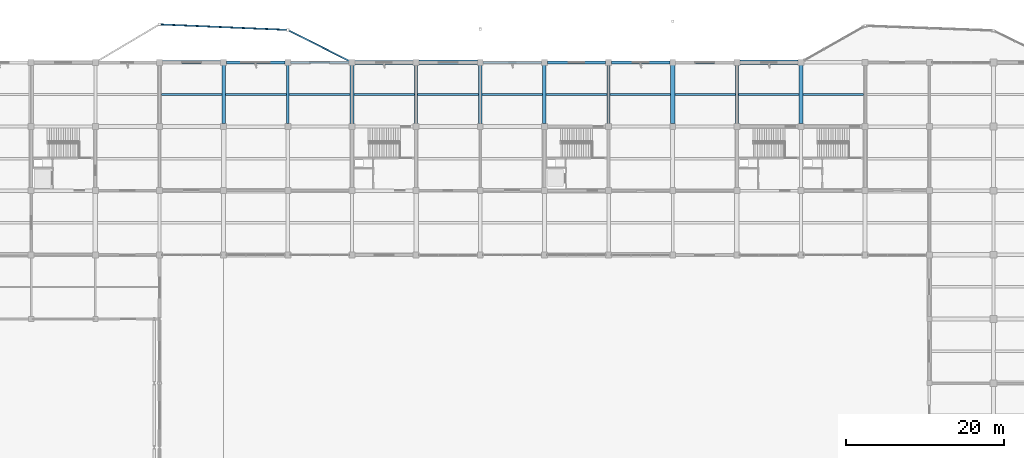
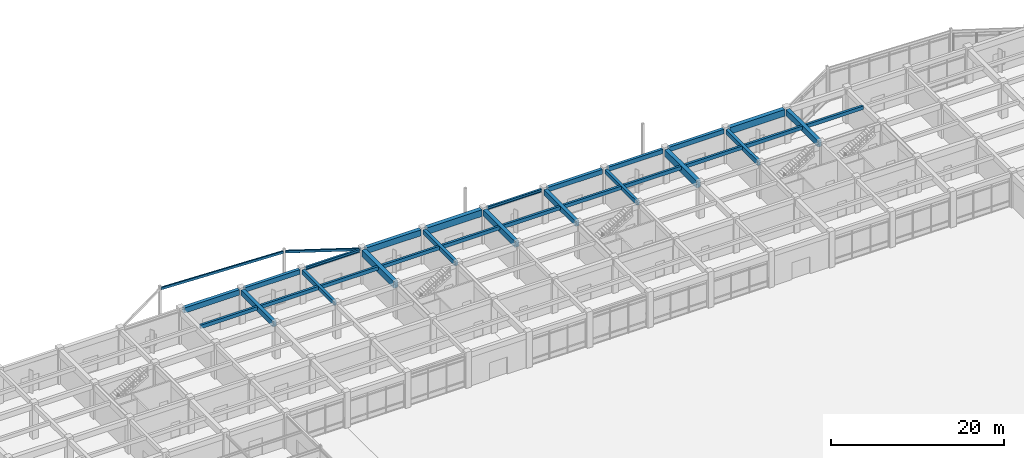
# One storey, part 46 of 99: 33 beams.
"""IFC4 building model written with IfcOpenShell, lengths in metres."""

from ifc_helpers import new_model, si_unit, direction, frame, origin, origin_2d, place, context, subcontext, project, spatial, rectangle, hollow_rectangle, i_section, extrude, material, material_profile, profile_set, type_object, element, save


model = new_model("IFC4")

# Units and contexts
model_context = context("Model", 3, precision=1e-05, world=origin(), true_north=direction((0.0, 1.0)))
body_context = subcontext(model_context, "Body", "Model", "MODEL_VIEW")
ifc_project = project(units=[si_unit("LENGTHUNIT", "METRE"), si_unit("AREAUNIT", "SQUARE_METRE"), si_unit("VOLUMEUNIT", "CUBIC_METRE"), si_unit("PLANEANGLEUNIT", "RADIAN"), si_unit("MASSUNIT", "GRAM", prefix="KILO")], contexts=[model_context])

# Site, building, storey
site_placement = place(None, origin())
site = spatial("IfcSite", under=ifc_project, at=site_placement, CompositionType="ELEMENT")
building_placement = place(site_placement, origin())
building = spatial("IfcBuilding", under=site, at=building_placement, Name="Vaudrelin Polytechnic", CompositionType="ELEMENT")
storey_placement = place(building_placement, origin())
storey = spatial("IfcBuildingStorey", under=building, at=storey_placement, Name="L00", CompositionType="ELEMENT", Elevation=0.0)

# Beams
ifc_material_1 = material(Name="Concrete 40 MPa", Category="concrete")
ifc_material_profile_1 = material_profile(ifc_material_1, rectangle(XDim=0.35009765625, YDim=0.60009765625, at=origin_2d()), Name="RC350x600")
ifc_profile_set_1 = profile_set([ifc_material_profile_1], Name="Concrete 40 MPa")
beam_type_1 = type_object("IfcBeamType", Name="BM-BM-RC3560", PredefinedType="BEAM", material=ifc_profile_set_1)
for number, where, z_axis, x_axis, name in (
    (1, (48.60009765625, 113.760009765625, 4.52001953125), (0.0, 1.0, 0.0), (-1.0, 0.0, 0.0), "L00 Y-beam 7-15"),
    (2, (89.10009765625, 113.760009765625, 4.52001953125), (0.0, 1.0, 0.0), (-1.0, 0.0, 0.0), "L00 Y-beam 12-15"),
):
    element("IfcBeam", number, at=place(storey_placement, frame(where, z_axis=z_axis, x_axis=x_axis)), inside=storey, type_object=beam_type_1, Name=name, PredefinedType="BEAM", context=body_context, shape_type="SweptSolid", body=[
        extrude(rectangle(XDim=0.35009765625, YDim=0.60009765625, at=origin_2d()), origin(), (0.0, 0.0, 1.0), 7.3798828125),
    ])
beam_1_placement = place(storey_placement, frame((89.470947265625, 121.5, 4.52001953125), z_axis=(1.0, 0.0, 0.0), x_axis=(0.0, 1.0, 0.0)))
element("IfcBeam", 3, at=beam_1_placement, inside=storey, type_object=beam_type_1, Name="L00 X-beam 12-16", PredefinedType="BEAM", context=body_context, shape_type="SweptSolid", body=[
    extrude(rectangle(XDim=0.35009765625, YDim=0.60009765625, at=origin_2d()), origin(), (0.0, 0.0, 1.0), 7.358154296875),
])
ifc_material_profile_2 = material_profile(ifc_material_1, rectangle(XDim=0.39990234375, YDim=0.64990234375, at=origin_2d()), Name="RC400x650")
ifc_profile_set_2 = profile_set([ifc_material_profile_2], Name="Concrete 40 MPa")
beam_type_2 = type_object("IfcBeamType", Name="BM-BM-RC4065", PredefinedType="BEAM", material=ifc_profile_set_2)
for number, where, z_axis, x_axis, name in (
    (4, (64.800048828125, 113.760009765625, 4.4951171875), (0.0, 1.0, 0.0), (-1.0, 0.0, 0.0), "L00 Y-beam 9-15"),
    (5, (105.300048828125, 113.760009765625, 4.4951171875), (0.0, 1.0, 0.0), (-1.0, 0.0, 0.0), "L00 Y-beam 14-15"),
):
    element("IfcBeam", number, at=place(storey_placement, frame(where, z_axis=z_axis, x_axis=x_axis)), inside=storey, type_object=beam_type_2, Name=name, PredefinedType="BEAM", context=body_context, shape_type="SweptSolid", body=[
        extrude(rectangle(XDim=0.39990234375, YDim=0.64990234375, at=origin_2d()), origin(), (0.0, 0.0, 1.0), 7.3798828125),
    ])
for number, where, z_axis, x_axis, name in (
    (6, (40.87109375, 121.5, 4.4951171875), (1.0, 0.0, 0.0), (0.0, 1.0, 0.0), "L00 X-beam 6-16"),
    (7, (81.37109375, 121.5, 4.4951171875), (1.0, 0.0, 0.0), (0.0, 1.0, 0.0), "L00 X-beam 11-16"),
):
    element("IfcBeam", number, at=place(storey_placement, frame(where, z_axis=z_axis, x_axis=x_axis)), inside=storey, type_object=beam_type_2, Name=name, PredefinedType="BEAM", context=body_context, shape_type="SweptSolid", body=[
        extrude(rectangle(XDim=0.39990234375, YDim=0.64990234375, at=origin_2d()), origin(), (0.0, 0.0, 1.0), 7.35791015625),
    ])
ifc_material_profile_3 = material_profile(ifc_material_1, rectangle(XDim=0.449951171875, YDim=0.75, at=origin_2d()), Name="RC450x750")
ifc_profile_set_3 = profile_set([ifc_material_profile_3], Name="Concrete 40 MPa")
beam_type_3 = type_object("IfcBeamType", Name="BM-BM-RC4575", PredefinedType="BEAM", material=ifc_profile_set_3)
for number, where, z_axis, x_axis, name in (
    (8, (40.5, 113.760009765625, 4.445068359375), (0.0, 1.0, 0.0), (-1.0, 0.0, 0.0), "L00 Y-beam 6-15"),
    (9, (81.0, 113.760009765625, 4.445068359375), (0.0, 1.0, 0.0), (-1.0, 0.0, 0.0), "L00 Y-beam 11-15"),
):
    element("IfcBeam", number, at=place(storey_placement, frame(where, z_axis=z_axis, x_axis=x_axis)), inside=storey, type_object=beam_type_3, Name=name, PredefinedType="BEAM", context=body_context, shape_type="SweptSolid", body=[
        extrude(rectangle(XDim=0.449951171875, YDim=0.75, at=origin_2d()), origin(), (0.0, 0.0, 1.0), 7.3798828125),
    ])
beam_2_placement = place(storey_placement, frame((32.77099609375, 121.5, 4.445068359375), z_axis=(1.0, 0.0, 0.0), x_axis=(0.0, 1.0, 0.0)))
element("IfcBeam", 10, at=beam_2_placement, inside=storey, type_object=beam_type_3, Name="L00 X-beam 5-16", PredefinedType="BEAM", context=body_context, shape_type="SweptSolid", body=[
    extrude(rectangle(XDim=0.449951171875, YDim=0.75, at=origin_2d()), origin(), (0.0, 0.0, 1.0), 7.35791015625),
])
ifc_material_profile_4 = material_profile(ifc_material_1, rectangle(XDim=0.5, YDim=0.85009765625, at=origin_2d()), Name="RC500x850")
ifc_profile_set_4 = profile_set([ifc_material_profile_4], Name="Concrete 40 MPa")
beam_type_4 = type_object("IfcBeamType", Name="BM-BM-RC5085", PredefinedType="BEAM", material=ifc_profile_set_4)
for number, where, z_axis, x_axis, name in (
    (11, (72.89990234375, 113.760009765625, 4.39501953125), (0.0, 1.0, 0.0), (-1.0, 0.0, 0.0), "L00 Y-beam 10-15"),
    (12, (113.39990234375, 113.760009765625, 4.39501953125), (0.0, 1.0, 0.0), (-1.0, 0.0, 0.0), "L00 Y-beam 15-15"),
):
    element("IfcBeam", number, at=place(storey_placement, frame(where, z_axis=z_axis, x_axis=x_axis)), inside=storey, type_object=beam_type_4, Name=name, PredefinedType="BEAM", context=body_context, shape_type="SweptSolid", body=[
        extrude(rectangle(XDim=0.5, YDim=0.85009765625, at=origin_2d()), origin(), (0.0, 0.0, 1.0), 7.3798828125),
    ])
beam_3_placement = place(storey_placement, frame((57.071044921875, 121.5, 4.39501953125), z_axis=(1.0, 0.0, 0.0), x_axis=(0.0, 1.0, 0.0)))
element("IfcBeam", 13, at=beam_3_placement, inside=storey, type_object=beam_type_4, Name="L00 X-beam 8-16", PredefinedType="BEAM", context=body_context, shape_type="SweptSolid", body=[
    extrude(rectangle(XDim=0.5, YDim=0.85009765625, at=origin_2d()), origin(), (0.0, 0.0, 1.0), 7.35791015625),
])
ifc_material_2 = material(Name="Concrete 50 MPa", Category="concrete")
ifc_material_profile_5 = material_profile(ifc_material_2, rectangle(XDim=0.550048828125, YDim=0.949951171875, at=origin_2d()), Name="RC550x950")
ifc_profile_set_5 = profile_set([ifc_material_profile_5], Name="Concrete 50 MPa")
beam_type_5 = type_object("IfcBeamType", Name="BM-BM-RC5595", PredefinedType="BEAM", material=ifc_profile_set_5)
for number, where, z_axis, x_axis, name in (
    (14, (56.699951171875, 113.760009765625, 4.344970703125), (0.0, 1.0, 0.0), (-1.0, 0.0, 0.0), "L00 Y-beam 8-15"),
    (15, (97.199951171875, 113.760009765625, 4.344970703125), (0.0, 1.0, 0.0), (-1.0, 0.0, 0.0), "L00 Y-beam 13-15"),
):
    element("IfcBeam", number, at=place(storey_placement, frame(where, z_axis=z_axis, x_axis=x_axis)), inside=storey, type_object=beam_type_5, Name=name, PredefinedType="BEAM", context=body_context, shape_type="SweptSolid", body=[
        extrude(rectangle(XDim=0.550048828125, YDim=0.949951171875, at=origin_2d()), origin(), (0.0, 0.0, 1.0), 7.3798828125),
    ])
for number, where, z_axis, x_axis, name in (
    (16, (65.1708984375, 121.5, 4.344970703125), (1.0, 0.0, 0.0), (0.0, 1.0, 0.0), "L00 X-beam 9-16"),
    (17, (105.6708984375, 121.5, 4.344970703125), (1.0, 0.0, 0.0), (0.0, 1.0, 0.0), "L00 X-beam 14-16"),
):
    element("IfcBeam", number, at=place(storey_placement, frame(where, z_axis=z_axis, x_axis=x_axis)), inside=storey, type_object=beam_type_5, Name=name, PredefinedType="BEAM", context=body_context, shape_type="SweptSolid", body=[
        extrude(rectangle(XDim=0.550048828125, YDim=0.949951171875, at=origin_2d()), origin(), (0.0, 0.0, 1.0), 7.358154296875),
    ])
ifc_material_3 = material(Name="Steel CSA G40.21 350WT", Category="steel")
ifc_material_profile_6 = material_profile(ifc_material_3, i_section(OverallWidth=0.260009765625, OverallDepth=0.4150390625, WebThickness=0.010009765625, FlangeThickness=0.016845703125, FilletRadius=0.01611328125, at=origin_2d()), Name="W410x100")
ifc_profile_set_6 = profile_set([ifc_material_profile_6], Name="Steel CSA G40.21 350WT")
beam_type_6 = type_object("IfcBeamType", Name="BM-BM-W410H", PredefinedType="SPANDREL", material=ifc_profile_set_6)
beam_4_placement = place(storey_placement, frame((48.970947265625, 121.5, 4.612548828125), z_axis=(1.0, 0.0, 0.0), x_axis=(0.0, 1.0, 0.0)))
element("IfcBeam", 18, at=beam_4_placement, inside=storey, type_object=beam_type_6, Name="L00 X-beam 7-16", PredefinedType="SPANDREL", context=body_context, shape_type="SweptSolid", body=[
    extrude(i_section(OverallWidth=0.260009765625, OverallDepth=0.4150390625, WebThickness=0.010009765625, FlangeThickness=0.016845703125, FilletRadius=0.01611328125, at=origin_2d()), origin(), (0.0, 0.0, 1.0), 7.358154296875),
])
beam_5_placement = place(storey_placement, frame((73.27099609375, 121.5, 4.612548828125), z_axis=(1.0, 0.0, 0.0), x_axis=(0.0, 1.0, 0.0)))
element("IfcBeam", 19, at=beam_5_placement, inside=storey, type_object=beam_type_6, Name="L00 X-beam 10-16", PredefinedType="SPANDREL", context=body_context, shape_type="SweptSolid", body=[
    extrude(i_section(OverallWidth=0.260009765625, OverallDepth=0.4150390625, WebThickness=0.010009765625, FlangeThickness=0.016845703125, FilletRadius=0.01611328125, at=origin_2d()), origin(), (0.0, 0.0, 1.0), 7.35791015625),
])
ifc_material_profile_7 = material_profile(ifc_material_1, rectangle(XDim=0.300048828125, YDim=0.5, at=origin_2d()), Name="RC300x500")
ifc_profile_set_7 = profile_set([ifc_material_profile_7], Name="Concrete 40 MPa")
beam_type_7 = type_object("IfcBeamType", Name="BM-JS-RC3050", PredefinedType="JOIST", material=ifc_profile_set_7)
beam_6_placement = place(storey_placement, frame((32.64599609375, 117.449951171875, 4.570068359375), z_axis=(1.0, 0.0, 0.0), x_axis=(0.0, 1.0, 0.0)))
element("IfcBeam", 20, at=beam_6_placement, inside=storey, type_object=beam_type_7, Name="L00 floor joist 5-15", PredefinedType="JOIST", context=body_context, shape_type="SweptSolid", body=[
    extrude(rectangle(XDim=0.300048828125, YDim=0.5, at=origin_2d()), origin(), (0.0, 0.0, 1.0), 7.633056640625),
])
beam_7_placement = place(storey_placement, frame((40.720947265625, 117.449951171875, 4.570068359375), z_axis=(1.0, 0.0, 0.0), x_axis=(0.0, 1.0, 0.0)))
element("IfcBeam", 21, at=beam_7_placement, inside=storey, type_object=beam_type_7, Name="L00 floor joist 6-15", PredefinedType="JOIST", context=body_context, shape_type="SweptSolid", body=[
    extrude(rectangle(XDim=0.300048828125, YDim=0.5, at=origin_2d()), origin(), (0.0, 0.0, 1.0), 7.7080078125),
])
beam_8_placement = place(storey_placement, frame((48.77099609375, 117.449951171875, 4.570068359375), z_axis=(1.0, 0.0, 0.0), x_axis=(0.0, 1.0, 0.0)))
element("IfcBeam", 22, at=beam_8_placement, inside=storey, type_object=beam_type_7, Name="L00 floor joist 7-15", PredefinedType="JOIST", context=body_context, shape_type="SweptSolid", body=[
    extrude(rectangle(XDim=0.300048828125, YDim=0.5, at=origin_2d()), origin(), (0.0, 0.0, 1.0), 7.657958984375),
])
beam_9_placement = place(storey_placement, frame((56.970947265625, 117.449951171875, 4.570068359375), z_axis=(1.0, 0.0, 0.0), x_axis=(0.0, 1.0, 0.0)))
element("IfcBeam", 23, at=beam_9_placement, inside=storey, type_object=beam_type_7, Name="L00 floor joist 8-15", PredefinedType="JOIST", context=body_context, shape_type="SweptSolid", body=[
    extrude(rectangle(XDim=0.300048828125, YDim=0.5, at=origin_2d()), origin(), (0.0, 0.0, 1.0), 7.633056640625),
])
beam_10_placement = place(storey_placement, frame((64.99609375, 117.449951171875, 4.570068359375), z_axis=(1.0, 0.0, 0.0), x_axis=(0.0, 1.0, 0.0)))
element("IfcBeam", 24, at=beam_10_placement, inside=storey, type_object=beam_type_7, Name="L00 floor joist 9-15", PredefinedType="JOIST", context=body_context, shape_type="SweptSolid", body=[
    extrude(rectangle(XDim=0.300048828125, YDim=0.5, at=origin_2d()), origin(), (0.0, 0.0, 1.0), 7.657958984375),
])
beam_11_placement = place(storey_placement, frame((73.14599609375, 117.449951171875, 4.570068359375), z_axis=(1.0, 0.0, 0.0), x_axis=(0.0, 1.0, 0.0)))
element("IfcBeam", 25, at=beam_11_placement, inside=storey, type_object=beam_type_7, Name="L00 floor joist 10-15", PredefinedType="JOIST", context=body_context, shape_type="SweptSolid", body=[
    extrude(rectangle(XDim=0.300048828125, YDim=0.5, at=origin_2d()), origin(), (0.0, 0.0, 1.0), 7.633056640625),
])
beam_12_placement = place(storey_placement, frame((81.220947265625, 117.449951171875, 4.570068359375), z_axis=(1.0, 0.0, 0.0), x_axis=(0.0, 1.0, 0.0)))
element("IfcBeam", 26, at=beam_12_placement, inside=storey, type_object=beam_type_7, Name="L00 floor joist 11-15", PredefinedType="JOIST", context=body_context, shape_type="SweptSolid", body=[
    extrude(rectangle(XDim=0.300048828125, YDim=0.5, at=origin_2d()), origin(), (0.0, 0.0, 1.0), 7.7080078125),
])
beam_13_placement = place(storey_placement, frame((89.27099609375, 117.449951171875, 4.570068359375), z_axis=(1.0, 0.0, 0.0), x_axis=(0.0, 1.0, 0.0)))
element("IfcBeam", 27, at=beam_13_placement, inside=storey, type_object=beam_type_7, Name="L00 floor joist 12-15", PredefinedType="JOIST", context=body_context, shape_type="SweptSolid", body=[
    extrude(rectangle(XDim=0.300048828125, YDim=0.5, at=origin_2d()), origin(), (0.0, 0.0, 1.0), 7.657958984375),
])
beam_14_placement = place(storey_placement, frame((97.470947265625, 117.449951171875, 4.570068359375), z_axis=(1.0, 0.0, 0.0), x_axis=(0.0, 1.0, 0.0)))
element("IfcBeam", 28, at=beam_14_placement, inside=storey, type_object=beam_type_7, Name="L00 floor joist 13-15", PredefinedType="JOIST", context=body_context, shape_type="SweptSolid", body=[
    extrude(rectangle(XDim=0.300048828125, YDim=0.5, at=origin_2d()), origin(), (0.0, 0.0, 1.0), 7.633056640625),
])
beam_15_placement = place(storey_placement, frame((105.49609375, 117.449951171875, 4.570068359375), z_axis=(1.0, 0.0, 0.0), x_axis=(0.0, 1.0, 0.0)))
element("IfcBeam", 29, at=beam_15_placement, inside=storey, type_object=beam_type_7, Name="L00 floor joist 14-15", PredefinedType="JOIST", context=body_context, shape_type="SweptSolid", body=[
    extrude(rectangle(XDim=0.300048828125, YDim=0.5, at=origin_2d()), origin(), (0.0, 0.0, 1.0), 7.657958984375),
])
beam_16_placement = place(storey_placement, frame((113.64599609375, 117.449951171875, 4.570068359375), z_axis=(1.0, 0.0, 0.0), x_axis=(0.0, 1.0, 0.0)))
element("IfcBeam", 30, at=beam_16_placement, inside=storey, type_object=beam_type_7, Name="L00 floor joist 15-15", PredefinedType="JOIST", context=body_context, shape_type="SweptSolid", body=[
    extrude(rectangle(XDim=0.300048828125, YDim=0.5, at=origin_2d()), origin(), (0.0, 0.0, 1.0), 7.633056640625),
])
ifc_material_profile_8 = material_profile(ifc_material_3, hollow_rectangle(XDim=0.202880859375, YDim=0.35595703125, WallThickness=0.0126953125, InnerFilletRadius=0.0126953125, OuterFilletRadius=0.025390625, at=origin_2d()), Name="HSS356x203x12.7")
ifc_profile_set_8 = profile_set([ifc_material_profile_8], Name="Steel CSA G40.21 350WT")
beam_type_8 = type_object("IfcBeamType", Name="BM-SP-HSS35", PredefinedType="SPANDREL", material=ifc_profile_set_8)
beam_17_placement = place(storey_placement, frame((32.539794921875, 126.2939453125, 4.64208984375), z_axis=(0.999067570881, -0.043173936739, 0.0), x_axis=(0.043173936739, 0.999067570881, 0.0)))
element("IfcBeam", 31, at=beam_17_placement, inside=storey, type_object=beam_type_8, Name="Sculptural edge beam L00 N_OR1_B2", PredefinedType="SPANDREL", context=body_context, shape_type="SweptSolid", body=[
    extrude(hollow_rectangle(XDim=0.202880859375, YDim=0.35595703125, WallThickness=0.0126953125, InnerFilletRadius=0.0126953125, OuterFilletRadius=0.025390625, at=origin_2d()), origin(), (0.0, 0.0, 1.0), 15.935302734375),
])
beam_18_placement = place(storey_placement, frame((48.724853515625, 125.536865234375, 4.64208984375), z_axis=(0.892213204931, -0.451614433944, 0.0), x_axis=(0.451614433944, 0.892213204931, 0.0)))
element("IfcBeam", 32, at=beam_18_placement, inside=storey, type_object=beam_type_8, Name="Sculptural edge beam L00 N_OR1_B3", PredefinedType="SPANDREL", context=body_context, shape_type="SweptSolid", body=[
    extrude(hollow_rectangle(XDim=0.202880859375, YDim=0.35595703125, WallThickness=0.0126953125, InnerFilletRadius=0.0126953125, OuterFilletRadius=0.025390625, at=origin_2d()), origin(), (0.0, 0.0, 1.0), 8.798828125),
])
ifc_material_profile_9 = material_profile(ifc_material_1, rectangle(XDim=0.39990234375, YDim=0.64990234375, at=origin_2d()), Name="RC400x650")
ifc_profile_set_9 = profile_set([ifc_material_profile_9], Name="Concrete 40 MPa")
beam_type_9 = type_object("IfcBeamType", Name="BM-SP-RC4065", PredefinedType="SPANDREL", material=ifc_profile_set_9)
beam_19_placement = place(storey_placement, frame((97.571044921875, 121.5, 4.4951171875), z_axis=(1.0, 0.0, 0.0), x_axis=(0.0, 1.0, 0.0)))
element("IfcBeam", 33, at=beam_19_placement, inside=storey, type_object=beam_type_9, Name="L00 X-beam 13-16", PredefinedType="SPANDREL", context=body_context, shape_type="SweptSolid", body=[
    extrude(rectangle(XDim=0.39990234375, YDim=0.64990234375, at=origin_2d()), origin(), (0.0, 0.0, 1.0), 7.35791015625),
])

save(model, "model.ifc")
